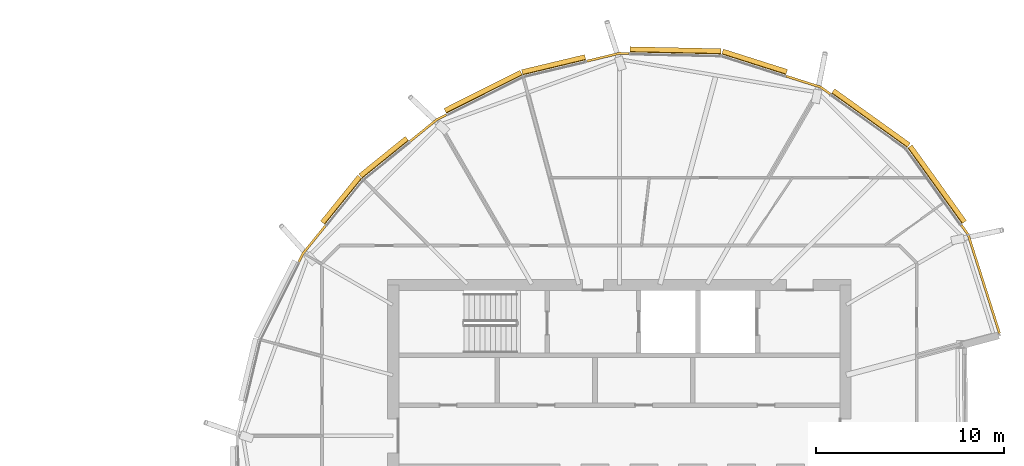
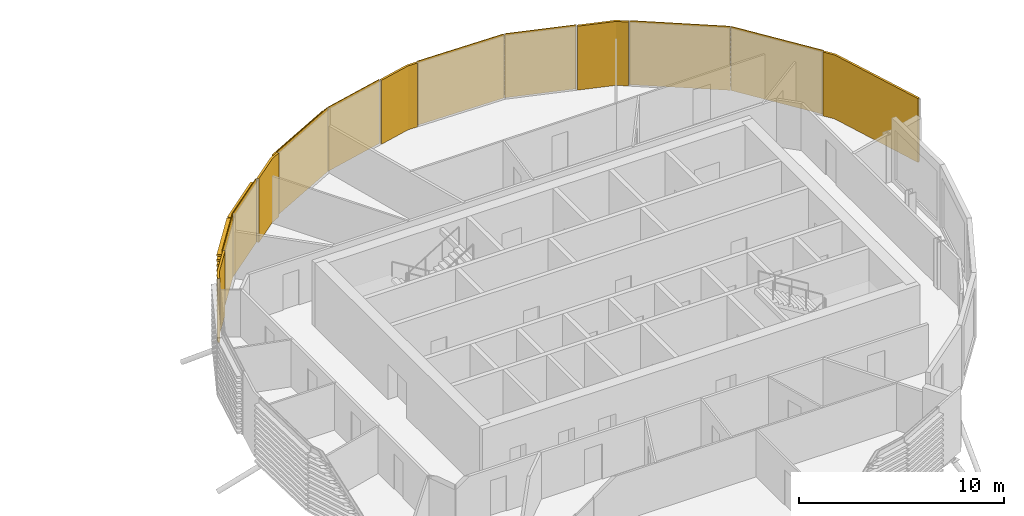
# One storey, part 35 of 35: 13 coverings.
"""IFC4 building model written with IfcOpenShell, lengths in metres."""

from ifc_helpers import new_model, si_unit, direction, frame, origin, place, context, subcontext, project, spatial, polyline, outline, extrude, material, layer, layer_set, material_profile, profile_set, type_object, element, save


model = new_model("IFC4")

# Units and contexts
model_context = context("Model", 3, precision=1e-05, world=origin(), true_north=direction((0.0, 1.0)))
body_context = subcontext(model_context, "Body", "Model", "MODEL_VIEW")
ifc_project = project(units=[si_unit("LENGTHUNIT", "METRE"), si_unit("AREAUNIT", "SQUARE_METRE"), si_unit("VOLUMEUNIT", "CUBIC_METRE"), si_unit("PLANEANGLEUNIT", "RADIAN"), si_unit("MASSUNIT", "GRAM", prefix="KILO")], contexts=[model_context])

# Site, building, storey
site_placement = place(None, origin())
site = spatial("IfcSite", under=ifc_project, at=site_placement, CompositionType="ELEMENT")
building_placement = place(site_placement, origin())
building = spatial("IfcBuilding", under=site, at=building_placement, Name="Rimbun Link Towers", CompositionType="ELEMENT")
storey_placement = place(building_placement, frame((0.0, 0.0, 196.89990234375)))
storey = spatial("IfcBuildingStorey", under=building, at=storey_placement, Name="L48", CompositionType="ELEMENT", Elevation=196.89990234375)

# Coverings
ifc_material_1 = material(Name="Terracotta", Category="masonry")
ifc_layer = layer(ifc_material_1, 0.1201171875)
ifc_layer_set = layer_set([ifc_layer], Name="LINK PIER terracotta cladding 120")
covering_type_1 = type_object("IfcCoveringType", Name="LINK PIER terracotta cladding 120", PredefinedType="CLADDING", material=ifc_layer_set)
covering_1_placement = place(storey_placement, origin())
element("IfcCovering", 1, at=covering_1_placement, inside=storey, type_object=covering_type_1, Name="LINK PIER cladding", PredefinedType="CLADDING", context=body_context, shape_type="SweptSolid", body=[
    extrude(outline(polyline([(40.57177734375, 19.030517578125), (42.4013671875, 18.44873046875), (42.905029296875, 18.087158203125), (42.97509765625, 18.184814453125), (42.455810546875, 18.557373046875), (40.608154296875, 19.14501953125), (40.57177734375, 19.030517578125)])), origin(), (0.0, 0.0, 1.0), 3.800048828125),
])
covering_2_placement = place(storey_placement, origin())
element("IfcCovering", 2, at=covering_2_placement, inside=storey, type_object=covering_type_1, Name="LINK PIER cladding", PredefinedType="CLADDING", context=body_context, shape_type="SweptSolid", body=[
    extrude(outline(polyline([(30.028564453125, 19.823486328125), (31.75, 20.235107421875), (32.269775390625, 20.22412109375), (32.2724609375, 20.34423828125), (31.737060546875, 20.35546875), (30.000732421875, 19.940185546875), (30.028564453125, 19.823486328125)])), origin(), (0.0, 0.0, 1.0), 3.800048828125),
])
covering_3_placement = place(storey_placement, origin())
element("IfcCovering", 3, at=covering_3_placement, inside=storey, type_object=covering_type_1, Name="LINK PIER cladding", PredefinedType="CLADDING", context=body_context, shape_type="SweptSolid", body=[
    extrude(outline(polyline([(20.6787109375, 15.580810546875), (22.09326171875, 16.725830078125), (22.602783203125, 16.981689453125), (22.548828125, 17.0888671875), (22.02783203125, 16.8271484375), (20.603271484375, 15.674072265625), (20.6787109375, 15.580810546875)])), origin(), (0.0, 0.0, 1.0), 3.800048828125),
])
covering_4_placement = place(storey_placement, origin())
element("IfcCovering", 4, at=covering_4_placement, inside=storey, type_object=covering_type_1, Name="LINK PIER cladding", PredefinedType="CLADDING", context=body_context, shape_type="SweptSolid", body=[
    extrude(outline(polyline([(14.790771484375, 9.19189453125), (15.024169921875, 9.65673828125), (16.20068359375, 11.110107421875), (16.107421875, 11.185791015625), (14.9228515625, 9.72216796875), (14.68359375, 9.245849609375), (14.790771484375, 9.19189453125)])), origin(), (0.0, 0.0, 1.0), 3.800048828125),
])
covering_5_placement = place(storey_placement, origin())
element("IfcCovering", 5, at=covering_5_placement, inside=storey, type_object=covering_type_1, Name="LINK PIER cladding", PredefinedType="CLADDING", context=body_context, shape_type="SweptSolid", body=[
    extrude(outline(polyline([(49.837158203125, 11.155029296875), (50.19873046875, 10.6513671875), (51.8623046875, 5.420166015625), (51.976806640625, 5.45654296875), (50.307373046875, 10.705810546875), (49.934814453125, 11.22509765625), (49.837158203125, 11.155029296875)])), origin(), (0.0, 0.0, 1.0), 3.800048828125),
])
ifc_material_2 = material(Name="Terracotta", Category="masonry")
ifc_material_profile = material_profile(ifc_material_2, outline(polyline([(0.123046875, 0.0), (0.1630859375, 0.0), (0.1630859375, 0.10009765625), (0.423095703125, 0.10009765625), (0.423095703125, 0.219970703125), (0.1630859375, 0.219970703125), (0.1630859375, 0.39990234375), (0.423095703125, 0.39990234375), (0.423095703125, 0.52001953125), (0.1630859375, 0.52001953125), (0.1630859375, 0.699951171875), (0.423095703125, 0.699951171875), (0.423095703125, 0.820068359375), (0.1630859375, 0.820068359375), (0.1630859375, 1.0), (0.423095703125, 1.0), (0.423095703125, 1.1201171875), (0.1630859375, 1.1201171875), (0.1630859375, 1.300048828125), (0.423095703125, 1.300048828125), (0.423095703125, 1.419921875), (0.1630859375, 1.419921875), (0.1630859375, 1.60009765625), (0.423095703125, 1.60009765625), (0.423095703125, 1.719970703125), (0.1630859375, 1.719970703125), (0.1630859375, 1.89990234375), (0.423095703125, 1.89990234375), (0.423095703125, 2.02001953125), (0.1630859375, 2.02001953125), (0.1630859375, 2.199951171875), (0.423095703125, 2.199951171875), (0.423095703125, 2.320068359375), (0.1630859375, 2.320068359375), (0.1630859375, 2.5), (0.423095703125, 2.5), (0.423095703125, 2.6201171875), (0.1630859375, 2.6201171875), (0.1630859375, 2.800048828125), (0.423095703125, 2.800048828125), (0.423095703125, 2.919921875), (0.1630859375, 2.919921875), (0.1630859375, 3.10009765625), (0.423095703125, 3.10009765625), (0.423095703125, 3.219970703125), (0.1630859375, 3.219970703125), (0.1630859375, 3.39990234375), (0.423095703125, 3.39990234375), (0.423095703125, 3.52001953125), (0.1630859375, 3.52001953125), (0.1630859375, 3.800048828125), (0.123046875, 3.800048828125), (0.123046875, 0.0)])), Name="BAGUETTE 120X300")
ifc_profile_set = profile_set([ifc_material_profile], Name="Terracotta")
covering_type_2 = type_object("IfcCoveringType", Name="TERRACOTTA BAGUETTE 120X300 H3800", PredefinedType="CLADDING", material=ifc_profile_set)
covering_6_placement = place(storey_placement, frame((42.929443359375, 18.06982421875, 0.0), z_axis=(0.812472062268, -0.583000126959, 0.0), x_axis=(0.583000126959, 0.812472062268, 0.0)))
element("IfcCovering", 6, at=covering_6_placement, inside=storey, type_object=covering_type_2, Name="TERRACOTTA BAGUETTE", PredefinedType="CLADDING", context=body_context, shape_type="SweptSolid", body=[
    extrude(outline(polyline([(0.123046875, 0.0), (0.1630859375, 0.0), (0.1630859375, 0.10009765625), (0.423095703125, 0.10009765625), (0.423095703125, 0.219970703125), (0.1630859375, 0.219970703125), (0.1630859375, 0.39990234375), (0.423095703125, 0.39990234375), (0.423095703125, 0.52001953125), (0.1630859375, 0.52001953125), (0.1630859375, 0.699951171875), (0.423095703125, 0.699951171875), (0.423095703125, 0.820068359375), (0.1630859375, 0.820068359375), (0.1630859375, 1.0), (0.423095703125, 1.0), (0.423095703125, 1.1201171875), (0.1630859375, 1.1201171875), (0.1630859375, 1.300048828125), (0.423095703125, 1.300048828125), (0.423095703125, 1.419921875), (0.1630859375, 1.419921875), (0.1630859375, 1.60009765625), (0.423095703125, 1.60009765625), (0.423095703125, 1.719970703125), (0.1630859375, 1.719970703125), (0.1630859375, 1.89990234375), (0.423095703125, 1.89990234375), (0.423095703125, 2.02001953125), (0.1630859375, 2.02001953125), (0.1630859375, 2.199951171875), (0.423095703125, 2.199951171875), (0.423095703125, 2.320068359375), (0.1630859375, 2.320068359375), (0.1630859375, 2.5), (0.423095703125, 2.5), (0.423095703125, 2.6201171875), (0.1630859375, 2.6201171875), (0.1630859375, 2.800048828125), (0.423095703125, 2.800048828125), (0.423095703125, 2.919921875), (0.1630859375, 2.919921875), (0.1630859375, 3.10009765625), (0.423095703125, 3.10009765625), (0.423095703125, 3.219970703125), (0.1630859375, 3.219970703125), (0.1630859375, 3.39990234375), (0.423095703125, 3.39990234375), (0.423095703125, 3.52001953125), (0.1630859375, 3.52001953125), (0.1630859375, 3.800048828125), (0.123046875, 3.800048828125), (0.123046875, 0.0)])), origin(), (0.0, 0.0, 1.0), 4.937744140625),
])
covering_7_placement = place(storey_placement, frame((37.1416015625, 20.12158203125, 0.0), z_axis=(0.952969785043, -0.303065321002, 0.0), x_axis=(0.303065321002, 0.952969785043, 0.0)))
element("IfcCovering", 7, at=covering_7_placement, inside=storey, type_object=covering_type_2, Name="TERRACOTTA BAGUETTE", PredefinedType="CLADDING", context=body_context, shape_type="SweptSolid", body=[
    extrude(outline(polyline([(0.123046875, 0.0), (0.1630859375, 0.0), (0.1630859375, 0.10009765625), (0.423095703125, 0.10009765625), (0.423095703125, 0.219970703125), (0.1630859375, 0.219970703125), (0.1630859375, 0.39990234375), (0.423095703125, 0.39990234375), (0.423095703125, 0.52001953125), (0.1630859375, 0.52001953125), (0.1630859375, 0.699951171875), (0.423095703125, 0.699951171875), (0.423095703125, 0.820068359375), (0.1630859375, 0.820068359375), (0.1630859375, 1.0), (0.423095703125, 1.0), (0.423095703125, 1.1201171875), (0.1630859375, 1.1201171875), (0.1630859375, 1.300048828125), (0.423095703125, 1.300048828125), (0.423095703125, 1.419921875), (0.1630859375, 1.419921875), (0.1630859375, 1.60009765625), (0.423095703125, 1.60009765625), (0.423095703125, 1.719970703125), (0.1630859375, 1.719970703125), (0.1630859375, 1.89990234375), (0.423095703125, 1.89990234375), (0.423095703125, 2.02001953125), (0.1630859375, 2.02001953125), (0.1630859375, 2.199951171875), (0.423095703125, 2.199951171875), (0.423095703125, 2.320068359375), (0.1630859375, 2.320068359375), (0.1630859375, 2.5), (0.423095703125, 2.5), (0.423095703125, 2.6201171875), (0.1630859375, 2.6201171875), (0.1630859375, 2.800048828125), (0.423095703125, 2.800048828125), (0.423095703125, 2.919921875), (0.1630859375, 2.919921875), (0.1630859375, 3.10009765625), (0.423095703125, 3.10009765625), (0.423095703125, 3.219970703125), (0.1630859375, 3.219970703125), (0.1630859375, 3.39990234375), (0.423095703125, 3.39990234375), (0.423095703125, 3.52001953125), (0.1630859375, 3.52001953125), (0.1630859375, 3.800048828125), (0.123046875, 3.800048828125), (0.123046875, 0.0)])), origin(), (0.0, 0.0, 1.0), 3.569580078125),
])
covering_8_placement = place(storey_placement, frame((32.2998046875, 20.2236328125, 0.0), z_axis=(0.99977795302, -0.021072367102, 0.0), x_axis=(0.021072367102, 0.99977795302, 0.0)))
element("IfcCovering", 8, at=covering_8_placement, inside=storey, type_object=covering_type_2, Name="TERRACOTTA BAGUETTE", PredefinedType="CLADDING", context=body_context, shape_type="SweptSolid", body=[
    extrude(outline(polyline([(0.123046875, 0.0), (0.1630859375, 0.0), (0.1630859375, 0.10009765625), (0.423095703125, 0.10009765625), (0.423095703125, 0.219970703125), (0.1630859375, 0.219970703125), (0.1630859375, 0.39990234375), (0.423095703125, 0.39990234375), (0.423095703125, 0.52001953125), (0.1630859375, 0.52001953125), (0.1630859375, 0.699951171875), (0.423095703125, 0.699951171875), (0.423095703125, 0.820068359375), (0.1630859375, 0.820068359375), (0.1630859375, 1.0), (0.423095703125, 1.0), (0.423095703125, 1.1201171875), (0.1630859375, 1.1201171875), (0.1630859375, 1.300048828125), (0.423095703125, 1.300048828125), (0.423095703125, 1.419921875), (0.1630859375, 1.419921875), (0.1630859375, 1.60009765625), (0.423095703125, 1.60009765625), (0.423095703125, 1.719970703125), (0.1630859375, 1.719970703125), (0.1630859375, 1.89990234375), (0.423095703125, 1.89990234375), (0.423095703125, 2.02001953125), (0.1630859375, 2.02001953125), (0.1630859375, 2.199951171875), (0.423095703125, 2.199951171875), (0.423095703125, 2.320068359375), (0.1630859375, 2.320068359375), (0.1630859375, 2.5), (0.423095703125, 2.5), (0.423095703125, 2.6201171875), (0.1630859375, 2.6201171875), (0.1630859375, 2.800048828125), (0.423095703125, 2.800048828125), (0.423095703125, 2.919921875), (0.1630859375, 2.919921875), (0.1630859375, 3.10009765625), (0.423095703125, 3.10009765625), (0.423095703125, 3.219970703125), (0.1630859375, 3.219970703125), (0.1630859375, 3.39990234375), (0.423095703125, 3.39990234375), (0.423095703125, 3.52001953125), (0.1630859375, 3.52001953125), (0.1630859375, 3.800048828125), (0.123046875, 3.800048828125), (0.123046875, 0.0)])), origin(), (0.0, 0.0, 1.0), 4.8427734375),
])
covering_9_placement = place(storey_placement, frame((26.654541015625, 19.016357421875, 0.0), z_axis=(0.97256422838, 0.232634523825, 0.0), x_axis=(-0.232634523825, 0.97256422838, 0.0)))
element("IfcCovering", 9, at=covering_9_placement, inside=storey, type_object=covering_type_2, Name="TERRACOTTA BAGUETTE", PredefinedType="CLADDING", context=body_context, shape_type="SweptSolid", body=[
    extrude(outline(polyline([(0.123046875, 0.0), (0.1630859375, 0.0), (0.1630859375, 0.10009765625), (0.423095703125, 0.10009765625), (0.423095703125, 0.219970703125), (0.1630859375, 0.219970703125), (0.1630859375, 0.39990234375), (0.423095703125, 0.39990234375), (0.423095703125, 0.52001953125), (0.1630859375, 0.52001953125), (0.1630859375, 0.699951171875), (0.423095703125, 0.699951171875), (0.423095703125, 0.820068359375), (0.1630859375, 0.820068359375), (0.1630859375, 1.0), (0.423095703125, 1.0), (0.423095703125, 1.1201171875), (0.1630859375, 1.1201171875), (0.1630859375, 1.300048828125), (0.423095703125, 1.300048828125), (0.423095703125, 1.419921875), (0.1630859375, 1.419921875), (0.1630859375, 1.60009765625), (0.423095703125, 1.60009765625), (0.423095703125, 1.719970703125), (0.1630859375, 1.719970703125), (0.1630859375, 1.89990234375), (0.423095703125, 1.89990234375), (0.423095703125, 2.02001953125), (0.1630859375, 2.02001953125), (0.1630859375, 2.199951171875), (0.423095703125, 2.199951171875), (0.423095703125, 2.320068359375), (0.1630859375, 2.320068359375), (0.1630859375, 2.5), (0.423095703125, 2.5), (0.423095703125, 2.6201171875), (0.1630859375, 2.6201171875), (0.1630859375, 2.800048828125), (0.423095703125, 2.800048828125), (0.423095703125, 2.919921875), (0.1630859375, 2.919921875), (0.1630859375, 3.10009765625), (0.423095703125, 3.10009765625), (0.423095703125, 3.219970703125), (0.1630859375, 3.219970703125), (0.1630859375, 3.39990234375), (0.423095703125, 3.39990234375), (0.423095703125, 3.52001953125), (0.1630859375, 3.52001953125), (0.1630859375, 3.800048828125), (0.123046875, 3.800048828125), (0.123046875, 0.0)])), origin(), (0.0, 0.0, 1.0), 3.43896484375),
])
covering_10_placement = place(storey_placement, frame((22.62939453125, 16.9951171875, 0.0), z_axis=(0.89365617395, 0.448752317834, 0.0), x_axis=(-0.448752317834, 0.89365617395, 0.0)))
element("IfcCovering", 10, at=covering_10_placement, inside=storey, type_object=covering_type_2, Name="TERRACOTTA BAGUETTE", PredefinedType="CLADDING", context=body_context, shape_type="SweptSolid", body=[
    extrude(outline(polyline([(0.123046875, 0.0), (0.1630859375, 0.0), (0.1630859375, 0.10009765625), (0.423095703125, 0.10009765625), (0.423095703125, 0.219970703125), (0.1630859375, 0.219970703125), (0.1630859375, 0.39990234375), (0.423095703125, 0.39990234375), (0.423095703125, 0.52001953125), (0.1630859375, 0.52001953125), (0.1630859375, 0.699951171875), (0.423095703125, 0.699951171875), (0.423095703125, 0.820068359375), (0.1630859375, 0.820068359375), (0.1630859375, 1.0), (0.423095703125, 1.0), (0.423095703125, 1.1201171875), (0.1630859375, 1.1201171875), (0.1630859375, 1.300048828125), (0.423095703125, 1.300048828125), (0.423095703125, 1.419921875), (0.1630859375, 1.419921875), (0.1630859375, 1.60009765625), (0.423095703125, 1.60009765625), (0.423095703125, 1.719970703125), (0.1630859375, 1.719970703125), (0.1630859375, 1.89990234375), (0.423095703125, 1.89990234375), (0.423095703125, 2.02001953125), (0.1630859375, 2.02001953125), (0.1630859375, 2.199951171875), (0.423095703125, 2.199951171875), (0.423095703125, 2.320068359375), (0.1630859375, 2.320068359375), (0.1630859375, 2.5), (0.423095703125, 2.5), (0.423095703125, 2.6201171875), (0.1630859375, 2.6201171875), (0.1630859375, 2.800048828125), (0.423095703125, 2.800048828125), (0.423095703125, 2.919921875), (0.1630859375, 2.919921875), (0.1630859375, 3.10009765625), (0.423095703125, 3.10009765625), (0.423095703125, 3.219970703125), (0.1630859375, 3.219970703125), (0.1630859375, 3.39990234375), (0.423095703125, 3.39990234375), (0.423095703125, 3.52001953125), (0.1630859375, 3.52001953125), (0.1630859375, 3.800048828125), (0.123046875, 3.800048828125), (0.123046875, 0.0)])), origin(), (0.0, 0.0, 1.0), 4.504150390625),
])
covering_11_placement = place(storey_placement, frame((18.1865234375, 13.5634765625, 0.0), z_axis=(0.777278880577, 0.629156214154, 0.0), x_axis=(-0.629156214154, 0.777278880577, 0.0)))
element("IfcCovering", 11, at=covering_11_placement, inside=storey, type_object=covering_type_2, Name="TERRACOTTA BAGUETTE", PredefinedType="CLADDING", context=body_context, shape_type="SweptSolid", body=[
    extrude(outline(polyline([(0.123046875, 0.0), (0.1630859375, 0.0), (0.1630859375, 0.10009765625), (0.423095703125, 0.10009765625), (0.423095703125, 0.219970703125), (0.1630859375, 0.219970703125), (0.1630859375, 0.39990234375), (0.423095703125, 0.39990234375), (0.423095703125, 0.52001953125), (0.1630859375, 0.52001953125), (0.1630859375, 0.699951171875), (0.423095703125, 0.699951171875), (0.423095703125, 0.820068359375), (0.1630859375, 0.820068359375), (0.1630859375, 1.0), (0.423095703125, 1.0), (0.423095703125, 1.1201171875), (0.1630859375, 1.1201171875), (0.1630859375, 1.300048828125), (0.423095703125, 1.300048828125), (0.423095703125, 1.419921875), (0.1630859375, 1.419921875), (0.1630859375, 1.60009765625), (0.423095703125, 1.60009765625), (0.423095703125, 1.719970703125), (0.1630859375, 1.719970703125), (0.1630859375, 1.89990234375), (0.423095703125, 1.89990234375), (0.423095703125, 2.02001953125), (0.1630859375, 2.02001953125), (0.1630859375, 2.199951171875), (0.423095703125, 2.199951171875), (0.423095703125, 2.320068359375), (0.1630859375, 2.320068359375), (0.1630859375, 2.5), (0.423095703125, 2.5), (0.423095703125, 2.6201171875), (0.1630859375, 2.6201171875), (0.1630859375, 2.800048828125), (0.423095703125, 2.800048828125), (0.423095703125, 2.919921875), (0.1630859375, 2.919921875), (0.1630859375, 3.10009765625), (0.423095703125, 3.10009765625), (0.423095703125, 3.219970703125), (0.1630859375, 3.219970703125), (0.1630859375, 3.39990234375), (0.423095703125, 3.39990234375), (0.423095703125, 3.52001953125), (0.1630859375, 3.52001953125), (0.1630859375, 3.800048828125), (0.123046875, 3.800048828125), (0.123046875, 0.0)])), origin(), (0.0, 0.0, 1.0), 3.176025390625),
])
covering_12_placement = place(storey_placement, frame((16.219482421875, 11.133544921875, 0.0), z_axis=(0.629189242669, 0.777252145002, 0.0), x_axis=(-0.777252145002, 0.629189242669, 0.0)))
element("IfcCovering", 12, at=covering_12_placement, inside=storey, type_object=covering_type_2, Name="TERRACOTTA BAGUETTE", PredefinedType="CLADDING", context=body_context, shape_type="SweptSolid", body=[
    extrude(outline(polyline([(0.123046875, 0.0), (0.1630859375, 0.0), (0.1630859375, 0.10009765625), (0.423095703125, 0.10009765625), (0.423095703125, 0.219970703125), (0.1630859375, 0.219970703125), (0.1630859375, 0.39990234375), (0.423095703125, 0.39990234375), (0.423095703125, 0.52001953125), (0.1630859375, 0.52001953125), (0.1630859375, 0.699951171875), (0.423095703125, 0.699951171875), (0.423095703125, 0.820068359375), (0.1630859375, 0.820068359375), (0.1630859375, 1.0), (0.423095703125, 1.0), (0.423095703125, 1.1201171875), (0.1630859375, 1.1201171875), (0.1630859375, 1.300048828125), (0.423095703125, 1.300048828125), (0.423095703125, 1.419921875), (0.1630859375, 1.419921875), (0.1630859375, 1.60009765625), (0.423095703125, 1.60009765625), (0.423095703125, 1.719970703125), (0.1630859375, 1.719970703125), (0.1630859375, 1.89990234375), (0.423095703125, 1.89990234375), (0.423095703125, 2.02001953125), (0.1630859375, 2.02001953125), (0.1630859375, 2.199951171875), (0.423095703125, 2.199951171875), (0.423095703125, 2.320068359375), (0.1630859375, 2.320068359375), (0.1630859375, 2.5), (0.423095703125, 2.5), (0.423095703125, 2.6201171875), (0.1630859375, 2.6201171875), (0.1630859375, 2.800048828125), (0.423095703125, 2.800048828125), (0.423095703125, 2.919921875), (0.1630859375, 2.919921875), (0.1630859375, 3.10009765625), (0.423095703125, 3.10009765625), (0.423095703125, 3.219970703125), (0.1630859375, 3.219970703125), (0.1630859375, 3.39990234375), (0.423095703125, 3.39990234375), (0.423095703125, 3.52001953125), (0.1630859375, 3.52001953125), (0.1630859375, 3.800048828125), (0.123046875, 3.800048828125), (0.123046875, 0.0)])), origin(), (0.0, 0.0, 1.0), 3.126220703125),
])
covering_13_placement = place(storey_placement, frame((46.941162109375, 15.191162109375, 0.0), z_axis=(0.583000126959, -0.812472062268, 0.0), x_axis=(0.812472062268, 0.583000126959, 0.0)))
element("IfcCovering", 13, at=covering_13_placement, inside=storey, type_object=covering_type_2, Name="TERRACOTTA BAGUETTE", PredefinedType="CLADDING", context=body_context, shape_type="SweptSolid", body=[
    extrude(outline(polyline([(0.123046875, 0.0), (0.1630859375, 0.0), (0.1630859375, 0.10009765625), (0.423095703125, 0.10009765625), (0.423095703125, 0.219970703125), (0.1630859375, 0.219970703125), (0.1630859375, 0.39990234375), (0.423095703125, 0.39990234375), (0.423095703125, 0.52001953125), (0.1630859375, 0.52001953125), (0.1630859375, 0.699951171875), (0.423095703125, 0.699951171875), (0.423095703125, 0.820068359375), (0.1630859375, 0.820068359375), (0.1630859375, 1.0), (0.423095703125, 1.0), (0.423095703125, 1.1201171875), (0.1630859375, 1.1201171875), (0.1630859375, 1.300048828125), (0.423095703125, 1.300048828125), (0.423095703125, 1.419921875), (0.1630859375, 1.419921875), (0.1630859375, 1.60009765625), (0.423095703125, 1.60009765625), (0.423095703125, 1.719970703125), (0.1630859375, 1.719970703125), (0.1630859375, 1.89990234375), (0.423095703125, 1.89990234375), (0.423095703125, 2.02001953125), (0.1630859375, 2.02001953125), (0.1630859375, 2.199951171875), (0.423095703125, 2.199951171875), (0.423095703125, 2.320068359375), (0.1630859375, 2.320068359375), (0.1630859375, 2.5), (0.423095703125, 2.5), (0.423095703125, 2.6201171875), (0.1630859375, 2.6201171875), (0.1630859375, 2.800048828125), (0.423095703125, 2.800048828125), (0.423095703125, 2.919921875), (0.1630859375, 2.919921875), (0.1630859375, 3.10009765625), (0.423095703125, 3.10009765625), (0.423095703125, 3.219970703125), (0.1630859375, 3.219970703125), (0.1630859375, 3.39990234375), (0.423095703125, 3.39990234375), (0.423095703125, 3.52001953125), (0.1630859375, 3.52001953125), (0.1630859375, 3.800048828125), (0.123046875, 3.800048828125), (0.123046875, 0.0)])), origin(), (0.0, 0.0, 1.0), 4.937744140625),
])

save(model, "model.ifc")
